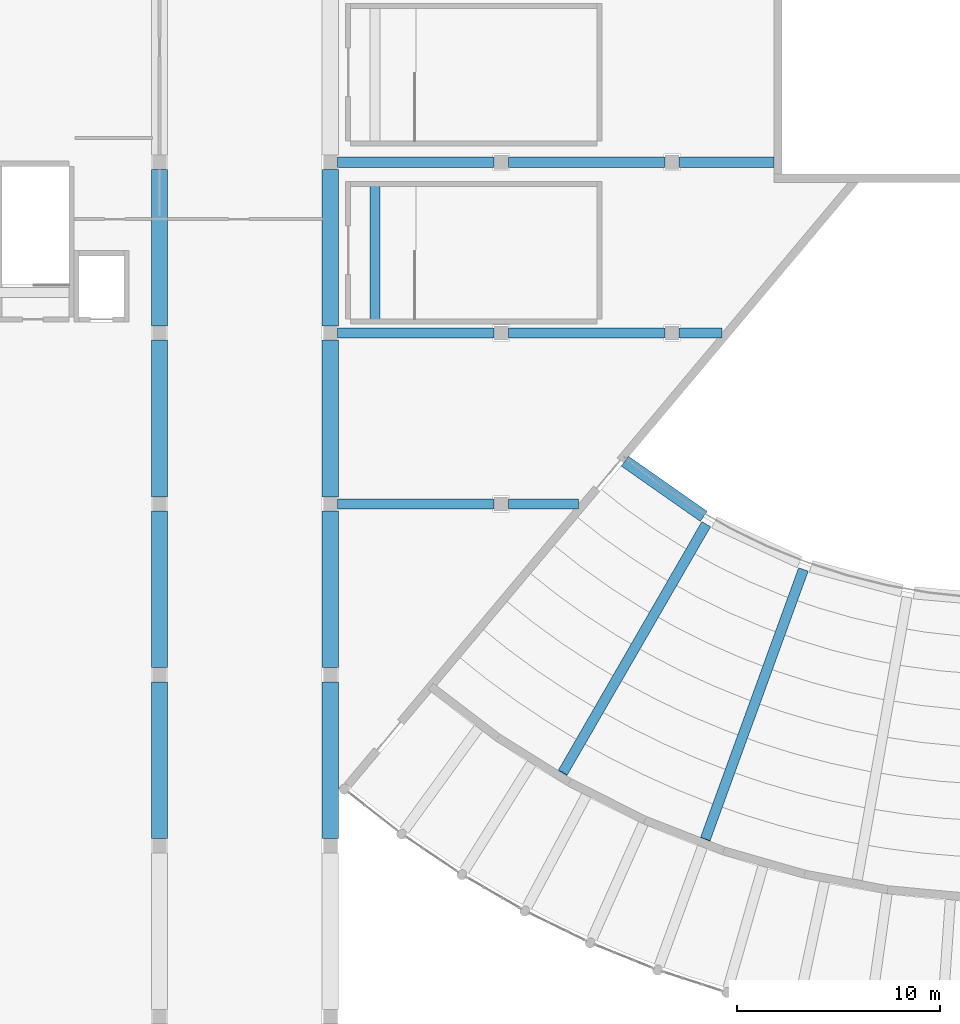
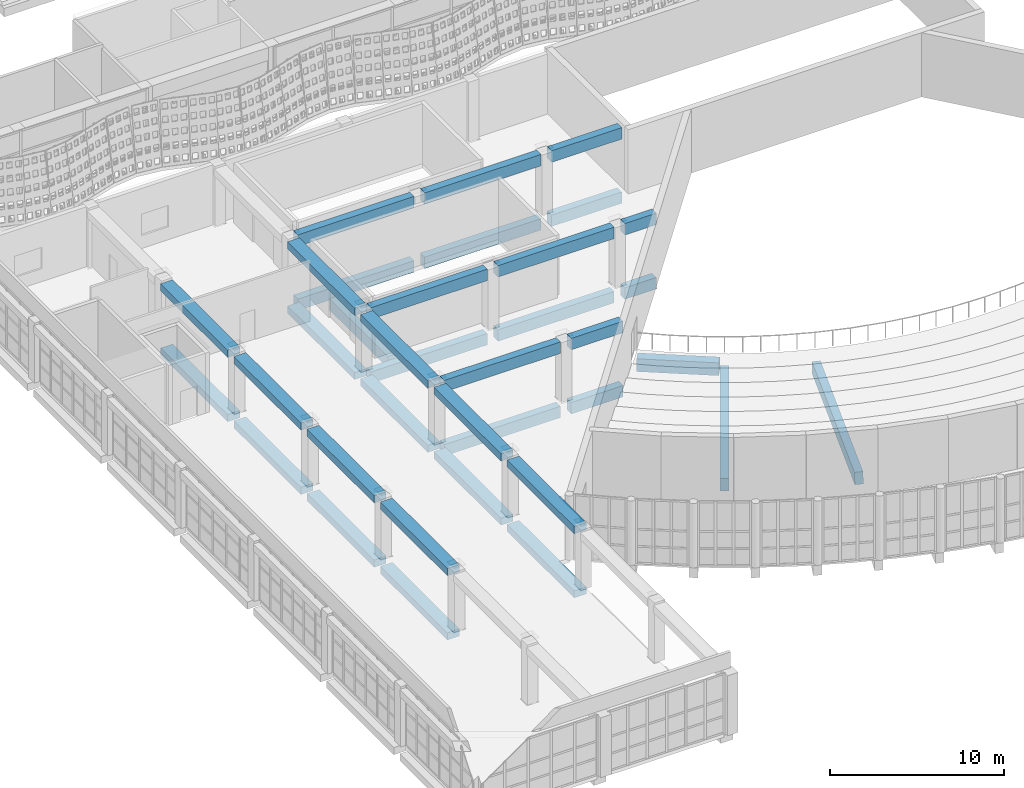
# One storey, part 43 of 162: 36 beams.
"""IFC4 building model written with IfcOpenShell, lengths in metres."""

from ifc_helpers import new_model, si_unit, direction, frame, origin, origin_2d, place, context, subcontext, project, spatial, rectangle, extrude, material, material_profile, profile_set, type_object, element, save


model = new_model("IFC4")

# Units and contexts
model_context = context("Model", 3, precision=1e-05, world=origin(), true_north=direction((0.0, 1.0)))
body_context = subcontext(model_context, "Body", "Model", "MODEL_VIEW")
ifc_project = project(units=[si_unit("LENGTHUNIT", "METRE"), si_unit("AREAUNIT", "SQUARE_METRE"), si_unit("VOLUMEUNIT", "CUBIC_METRE"), si_unit("PLANEANGLEUNIT", "RADIAN"), si_unit("MASSUNIT", "GRAM", prefix="KILO")], contexts=[model_context])

# Site, building, storey
site_placement = place(None, origin())
site = spatial("IfcSite", under=ifc_project, at=site_placement, CompositionType="ELEMENT")
building_placement = place(site_placement, origin())
building = spatial("IfcBuilding", under=site, at=building_placement, Name="Rain Tree Exposition and Congress Centre", CompositionType="ELEMENT")
storey_placement = place(building_placement, frame((0.0, 0.0, 6.0)))
storey = spatial("IfcBuildingStorey", under=building, at=storey_placement, Name="L01", CompositionType="ELEMENT", Elevation=6.0)

# Beams
ifc_material_1 = material(Name="Precast concrete C50/60", Category="concrete")
ifc_material_profile_1 = material_profile(ifc_material_1, rectangle(XDim=0.5, YDim=0.800048828125, at=origin_2d()), Name="RC 500x800")
ifc_profile_set_1 = profile_set([ifc_material_profile_1], Name="Precast concrete C50/60")
beam_type_1 = type_object("IfcBeamType", Name="Precast beam 500x800", PredefinedType="BEAM", material=ifc_profile_set_1)
for number, where, z_axis, x_axis, name in (
    (1, (186.449951171875, 40.95947265625, -1.058349609375), (-0.49524973238, -0.857790304211, 0.137562700537), (0.866023537358, -0.500003232731, 0.0), "Balcony raker"),
    (2, (191.23681640625, 38.727294921875, -1.058349609375), (-0.338768185193, -0.930759286114, 0.137561869763), (0.939692779851, -0.342019706296, 0.0), "Balcony raker"),
):
    element("IfcBeam", number, at=place(storey_placement, frame(where, z_axis=z_axis, x_axis=x_axis)), inside=storey, type_object=beam_type_1, Name=name, PredefinedType="BEAM", context=body_context, shape_type="SweptSolid", body=[
        extrude(rectangle(XDim=0.5, YDim=0.800048828125, at=origin_2d()), origin(), (0.0, 0.0, 1.0), 14.2353515625),
    ])
for number, where, z_axis, x_axis, name in (
    (3, (159.60009765625, 25.550048828125, -0.699951171875), (0.0, 1.0, 0.0), (0.0, 0.0, 1.0), "Foyer beam"),
    (4, (159.60009765625, 33.949951171875, -0.699951171875), (0.0, 1.0, 0.0), (0.0, 0.0, 1.0), "Foyer beam"),
    (5, (159.60009765625, 42.35009765625, -0.699951171875), (0.0, 1.0, 0.0), (0.0, 0.0, 1.0), "Foyer beam"),
    (6, (159.60009765625, 50.75, -0.699951171875), (0.0, 1.0, 0.0), (0.0, 0.0, 1.0), "Foyer beam"),
    (7, (168.0, 25.550048828125, -0.699951171875), (0.0, 1.0, 0.0), (0.0, 0.0, 1.0), "Foyer beam"),
    (8, (168.0, 33.949951171875, -0.699951171875), (0.0, 1.0, 0.0), (0.0, 0.0, 1.0), "Foyer beam"),
    (9, (168.0, 42.35009765625, -0.699951171875), (0.0, 1.0, 0.0), (0.0, 0.0, 1.0), "Foyer beam"),
    (10, (168.0, 50.75, -0.699951171875), (0.0, 1.0, 0.0), (0.0, 0.0, 1.0), "Foyer beam"),
    (11, (168.35009765625, 42.0, -0.699951171875), (1.0, 0.0, 0.0), (0.0, 1.0, 0.0), "Lounge beam"),
):
    element("IfcBeam", number, at=place(storey_placement, frame(where, z_axis=z_axis, x_axis=x_axis)), inside=storey, type_object=beam_type_1, Name=name, PredefinedType="BEAM", context=body_context, shape_type="SweptSolid", body=[
        extrude(rectangle(XDim=0.5, YDim=0.800048828125, at=origin_2d()), origin(), (0.0, 0.0, 1.0), 7.699951171875),
    ])
beam_1_placement = place(storey_placement, frame((176.75, 42.0, -0.699951171875), z_axis=(1.0, 0.0, 0.0), x_axis=(0.0, 1.0, 0.0)))
element("IfcBeam", 12, at=beam_1_placement, inside=storey, type_object=beam_type_1, Name="Lounge beam", PredefinedType="BEAM", context=body_context, shape_type="SweptSolid", body=[
    extrude(rectangle(XDim=0.5, YDim=0.800048828125, at=origin_2d()), origin(), (0.0, 0.0, 1.0), 3.443603515625),
])
for number, where, z_axis, x_axis, name in (
    (13, (168.35009765625, 50.39990234375, -0.699951171875), (1.0, 0.0, 0.0), (0.0, 1.0, 0.0), "Lounge beam"),
    (14, (176.75, 50.39990234375, -0.699951171875), (1.0, 0.0, 0.0), (0.0, 1.0, 0.0), "Lounge beam"),
):
    element("IfcBeam", number, at=place(storey_placement, frame(where, z_axis=z_axis, x_axis=x_axis)), inside=storey, type_object=beam_type_1, Name=name, PredefinedType="BEAM", context=body_context, shape_type="SweptSolid", body=[
        extrude(rectangle(XDim=0.5, YDim=0.800048828125, at=origin_2d()), origin(), (0.0, 0.0, 1.0), 7.699951171875),
    ])
beam_2_placement = place(storey_placement, frame((185.14990234375, 50.39990234375, -0.699951171875), z_axis=(1.0, 0.0, 0.0), x_axis=(0.0, 1.0, 0.0)))
element("IfcBeam", 15, at=beam_2_placement, inside=storey, type_object=beam_type_1, Name="Lounge beam", PredefinedType="BEAM", context=body_context, shape_type="SweptSolid", body=[
    extrude(rectangle(XDim=0.5, YDim=0.800048828125, at=origin_2d()), origin(), (0.0, 0.0, 1.0), 2.092041015625),
])
for number, where, z_axis, x_axis, name in (
    (16, (168.35009765625, 58.800048828125, -0.699951171875), (1.0, 0.0, 0.0), (0.0, 1.0, 0.0), "Lounge beam"),
    (17, (176.75, 58.800048828125, -0.699951171875), (1.0, 0.0, 0.0), (0.0, 1.0, 0.0), "Lounge beam"),
):
    element("IfcBeam", number, at=place(storey_placement, frame(where, z_axis=z_axis, x_axis=x_axis)), inside=storey, type_object=beam_type_1, Name=name, PredefinedType="BEAM", context=body_context, shape_type="SweptSolid", body=[
        extrude(rectangle(XDim=0.5, YDim=0.800048828125, at=origin_2d()), origin(), (0.0, 0.0, 1.0), 7.699951171875),
    ])
beam_3_placement = place(storey_placement, frame((185.14990234375, 58.800048828125, -0.699951171875), z_axis=(1.0, 0.0, 0.0), x_axis=(0.0, 1.0, 0.0)))
element("IfcBeam", 18, at=beam_3_placement, inside=storey, type_object=beam_type_1, Name="Lounge beam", PredefinedType="BEAM", context=body_context, shape_type="SweptSolid", body=[
    extrude(rectangle(XDim=0.5, YDim=0.800048828125, at=origin_2d()), origin(), (0.0, 0.0, 1.0), 4.650146484375),
])
for number, where, z_axis, x_axis, name in (
    (19, (159.60009765625, 25.550048828125, 3.800048828125), (0.0, 1.0, 0.0), (0.0, 0.0, 1.0), "Foyer beam"),
    (20, (159.60009765625, 33.949951171875, 3.800048828125), (0.0, 1.0, 0.0), (0.0, 0.0, 1.0), "Foyer beam"),
    (21, (159.60009765625, 42.35009765625, 3.800048828125), (0.0, 1.0, 0.0), (0.0, 0.0, 1.0), "Foyer beam"),
    (22, (159.60009765625, 50.75, 3.800048828125), (0.0, 1.0, 0.0), (0.0, 0.0, 1.0), "Foyer beam"),
    (23, (168.0, 25.550048828125, 3.800048828125), (0.0, 1.0, 0.0), (0.0, 0.0, 1.0), "Foyer beam"),
    (24, (168.0, 33.949951171875, 3.800048828125), (0.0, 1.0, 0.0), (0.0, 0.0, 1.0), "Foyer beam"),
    (25, (168.0, 42.35009765625, 3.800048828125), (0.0, 1.0, 0.0), (0.0, 0.0, 1.0), "Foyer beam"),
    (26, (168.0, 50.75, 3.800048828125), (0.0, 1.0, 0.0), (0.0, 0.0, 1.0), "Foyer beam"),
    (27, (168.35009765625, 42.0, 3.800048828125), (1.0, 0.0, 0.0), (0.0, 1.0, 0.0), "Lounge beam"),
):
    element("IfcBeam", number, at=place(storey_placement, frame(where, z_axis=z_axis, x_axis=x_axis)), inside=storey, type_object=beam_type_1, Name=name, PredefinedType="BEAM", context=body_context, shape_type="SweptSolid", body=[
        extrude(rectangle(XDim=0.5, YDim=0.800048828125, at=origin_2d()), origin(), (0.0, 0.0, 1.0), 7.699951171875),
    ])
beam_4_placement = place(storey_placement, frame((176.75, 42.0, 3.800048828125), z_axis=(1.0, 0.0, 0.0), x_axis=(0.0, 1.0, 0.0)))
element("IfcBeam", 28, at=beam_4_placement, inside=storey, type_object=beam_type_1, Name="Lounge beam", PredefinedType="BEAM", context=body_context, shape_type="SweptSolid", body=[
    extrude(rectangle(XDim=0.5, YDim=0.800048828125, at=origin_2d()), origin(), (0.0, 0.0, 1.0), 3.443603515625),
])
for number, where, z_axis, x_axis, name in (
    (29, (168.35009765625, 50.39990234375, 3.800048828125), (1.0, 0.0, 0.0), (0.0, 1.0, 0.0), "Lounge beam"),
    (30, (176.75, 50.39990234375, 3.800048828125), (1.0, 0.0, 0.0), (0.0, 1.0, 0.0), "Lounge beam"),
):
    element("IfcBeam", number, at=place(storey_placement, frame(where, z_axis=z_axis, x_axis=x_axis)), inside=storey, type_object=beam_type_1, Name=name, PredefinedType="BEAM", context=body_context, shape_type="SweptSolid", body=[
        extrude(rectangle(XDim=0.5, YDim=0.800048828125, at=origin_2d()), origin(), (0.0, 0.0, 1.0), 7.699951171875),
    ])
beam_5_placement = place(storey_placement, frame((185.14990234375, 50.39990234375, 3.800048828125), z_axis=(1.0, 0.0, 0.0), x_axis=(0.0, 1.0, 0.0)))
element("IfcBeam", 31, at=beam_5_placement, inside=storey, type_object=beam_type_1, Name="Lounge beam", PredefinedType="BEAM", context=body_context, shape_type="SweptSolid", body=[
    extrude(rectangle(XDim=0.5, YDim=0.800048828125, at=origin_2d()), origin(), (0.0, 0.0, 1.0), 2.092041015625),
])
for number, where, z_axis, x_axis, name in (
    (32, (168.35009765625, 58.800048828125, 3.800048828125), (1.0, 0.0, 0.0), (0.0, 1.0, 0.0), "Lounge beam"),
    (33, (176.75, 58.800048828125, 3.800048828125), (1.0, 0.0, 0.0), (0.0, 1.0, 0.0), "Lounge beam"),
):
    element("IfcBeam", number, at=place(storey_placement, frame(where, z_axis=z_axis, x_axis=x_axis)), inside=storey, type_object=beam_type_1, Name=name, PredefinedType="BEAM", context=body_context, shape_type="SweptSolid", body=[
        extrude(rectangle(XDim=0.5, YDim=0.800048828125, at=origin_2d()), origin(), (0.0, 0.0, 1.0), 7.699951171875),
    ])
beam_6_placement = place(storey_placement, frame((185.14990234375, 58.800048828125, 3.800048828125), z_axis=(1.0, 0.0, 0.0), x_axis=(0.0, 1.0, 0.0)))
element("IfcBeam", 34, at=beam_6_placement, inside=storey, type_object=beam_type_1, Name="Lounge beam", PredefinedType="BEAM", context=body_context, shape_type="SweptSolid", body=[
    extrude(rectangle(XDim=0.5, YDim=0.800048828125, at=origin_2d()), origin(), (0.0, 0.0, 1.0), 4.650146484375),
])
beam_7_placement = place(storey_placement, frame((170.199951171875, 51.0, -0.699951171875), z_axis=(0.0, 1.0, 0.0), x_axis=(-1.0, 0.0, 0.0)))
element("IfcBeam", 35, at=beam_7_placement, inside=storey, type_object=beam_type_1, Name="Stair top landing beam", PredefinedType="BEAM", context=body_context, shape_type="SweptSolid", body=[
    extrude(rectangle(XDim=0.5, YDim=0.800048828125, at=origin_2d()), origin(), (0.0, 0.0, 1.0), 6.699951171875),
])
ifc_material_2 = material(Name="Precast concrete C50/60", Category="concrete")
ifc_material_profile_2 = material_profile(ifc_material_2, rectangle(XDim=0.60009765625, YDim=0.89990234375, at=origin_2d()), Name="RC 600x900")
ifc_profile_set_2 = profile_set([ifc_material_profile_2], Name="Precast concrete C50/60")
beam_type_2 = type_object("IfcBeamType", Name="Precast beam 600x900", PredefinedType="BEAM", material=ifc_profile_set_2)
beam_8_placement = place(storey_placement, frame((182.480224609375, 44.10400390625, -0.89990234375), z_axis=(0.819149454269, -0.573580135265, 0.0), x_axis=(0.573580135265, 0.819149454269, 0.0)))
element("IfcBeam", 36, at=beam_8_placement, inside=storey, type_object=beam_type_2, Name="Balcony girder", PredefinedType="BEAM", context=body_context, shape_type="SweptSolid", body=[
    extrude(rectangle(XDim=0.60009765625, YDim=0.89990234375, at=origin_2d()), origin(), (0.0, 0.0, 1.0), 4.729248046875),
])

save(model, "model.ifc")
